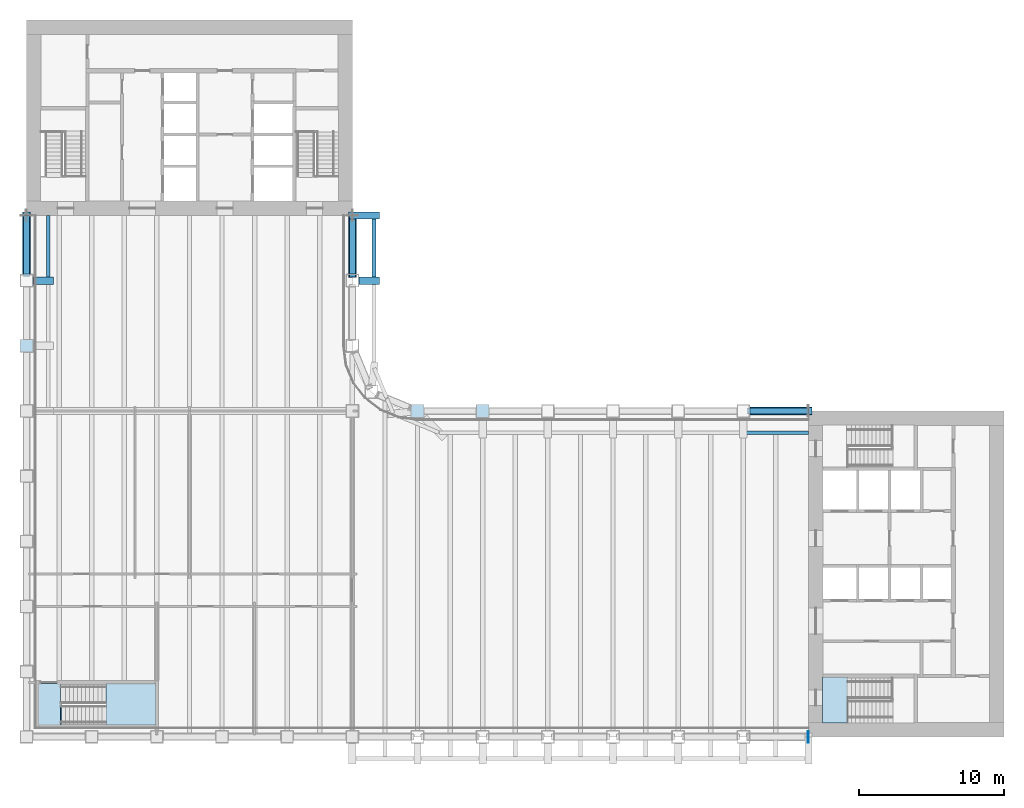
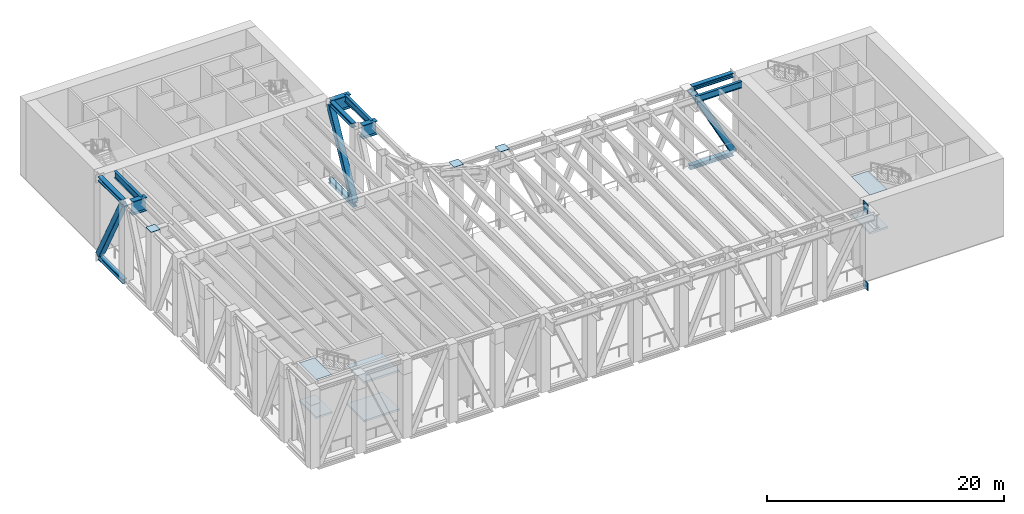
# One storey, part 3 of 16: 9 members, 7 plates, 6 beams, 6 slabs, 2 elements without a shape of their own.
"""IFC4 building model written with IfcOpenShell, lengths in metres."""

from ifc_helpers import new_model, si_unit, direction, frame, origin, origin_2d, place, context, subcontext, project, spatial, polyline, rectangle, hollow_rectangle, i_section, outline, extrude, material, layer, layer_set, material_profile, profile_set, type_object, element, aggregate, save


model = new_model("IFC4")

# Units and contexts
model_context = context("Model", 3, precision=1e-05, world=origin(), true_north=direction((0.0, 1.0)))
body_context = subcontext(model_context, "Body", "Model", "MODEL_VIEW")
ifc_project = project(units=[si_unit("LENGTHUNIT", "METRE"), si_unit("AREAUNIT", "SQUARE_METRE"), si_unit("VOLUMEUNIT", "CUBIC_METRE"), si_unit("PLANEANGLEUNIT", "RADIAN"), si_unit("MASSUNIT", "GRAM", prefix="KILO")], contexts=[model_context])

# Site, building, storey
site_placement = place(None, origin())
site = spatial("IfcSite", under=ifc_project, at=site_placement, CompositionType="ELEMENT")
building_placement = place(site_placement, origin())
building = spatial("IfcBuilding", under=site, at=building_placement, Name="Sennacour Bend Tower", CompositionType="ELEMENT")
storey_placement = place(building_placement, frame((0.0, 0.0, 187.0)))
storey = spatial("IfcBuildingStorey", under=building, at=storey_placement, Name="L43", CompositionType="ELEMENT", Elevation=187.0)

# Members
ifc_material_1 = material(Name="Steel ASTM A992 Grade 50", Category="steel")
ifc_material_profile_1 = material_profile(ifc_material_1, i_section(OverallWidth=0.4189453125, OverallDepth=0.455078125, WebThickness=0.042236328125, FlangeThickness=0.067626953125, FilletRadius=0.01513671875, at=origin_2d()), Name="Steel ASTM A992 Grade 50", Category="steel")
ifc_profile_set_1 = profile_set([ifc_material_profile_1], Name="Steel ASTM A992 Grade 50")
member_type_1 = type_object("IfcMemberType", Name="Belt truss chord W360X551", PredefinedType="CHORD", material=ifc_profile_set_1)
for number, where, z_axis, x_axis, name in (
    (1, (0.0, 31.75, -0.4775390625), (0.0, 1.0, 0.0), (-1.0, 0.0, 0.0), "Belt truss chord BC L43-003"),
    (2, (22.5, 36.0, -0.4775390625), (0.0, -1.0, 0.0), (1.0, 0.0, 0.0), "Belt truss chord BC L43-004"),
    (3, (49.75, 22.5, -0.4775390625), (1.0, 0.0, 0.0), (0.0, 1.0, 0.0), "Belt truss chord BC L43-013"),
):
    element("IfcMember", number, at=place(storey_placement, frame(where, z_axis=z_axis, x_axis=x_axis)), inside=storey, type_object=member_type_1, Name=name, PredefinedType="CHORD", context=body_context, shape_type="SweptSolid", body=[
        extrude(i_section(OverallWidth=0.4189453125, OverallDepth=0.455078125, WebThickness=0.042236328125, FlangeThickness=0.067626953125, FilletRadius=0.01513671875, at=origin_2d()), origin(), (0.0, 0.0, 1.0), 4.25),
    ])
member_1_placement = place(storey_placement, frame((0.0, 31.949951171875, 7.62255859375), z_axis=(0.0, 1.0, 0.0), x_axis=(-1.0, 0.0, 0.0)))
element("IfcMember", 4, at=member_1_placement, inside=storey, type_object=member_type_1, Name="Belt truss chord BC L43-003", PredefinedType="CHORD", context=body_context, shape_type="SweptSolid", body=[
    extrude(i_section(OverallWidth=0.4189453125, OverallDepth=0.455078125, WebThickness=0.042236328125, FlangeThickness=0.067626953125, FilletRadius=0.01513671875, at=origin_2d()), origin(), (0.0, 0.0, 1.0), 4.050048828125),
])
member_2_placement = place(storey_placement, frame((22.5, 35.75, 7.62255859375), z_axis=(0.0, -1.0, 0.0), x_axis=(1.0, 0.0, 0.0)))
element("IfcMember", 5, at=member_2_placement, inside=storey, type_object=member_type_1, Name="Belt truss chord BC L43-004", PredefinedType="CHORD", context=body_context, shape_type="SweptSolid", body=[
    extrude(i_section(OverallWidth=0.4189453125, OverallDepth=0.455078125, WebThickness=0.042236328125, FlangeThickness=0.067626953125, FilletRadius=0.01513671875, at=origin_2d()), origin(), (0.0, 0.0, 1.0), 3.800048828125),
])
member_3_placement = place(storey_placement, frame((49.949951171875, 22.5, 7.62255859375), z_axis=(1.0, 0.0, 0.0), x_axis=(0.0, 1.0, 0.0)))
element("IfcMember", 6, at=member_3_placement, inside=storey, type_object=member_type_1, Name="Belt truss chord BC L43-013", PredefinedType="CHORD", context=body_context, shape_type="SweptSolid", body=[
    extrude(i_section(OverallWidth=0.4189453125, OverallDepth=0.455078125, WebThickness=0.042236328125, FlangeThickness=0.067626953125, FilletRadius=0.01513671875, at=origin_2d()), origin(), (0.0, 0.0, 1.0), 4.050048828125),
])
ifc_material_2 = material(Name="Steel ASTM A500 Grade C", Category="steel")
ifc_material_profile_2 = material_profile(ifc_material_2, hollow_rectangle(XDim=0.558837890625, YDim=0.558837890625, WallThickness=0.01904296875, InnerFilletRadius=0.01904296875, OuterFilletRadius=0.0380859375, at=origin_2d()), Name="Steel ASTM A500 Grade C", Category="steel")
ifc_profile_set_2 = profile_set([ifc_material_profile_2], Name="Steel ASTM A500 Grade C")
member_type_2 = type_object("IfcMemberType", Name="Outrigger truss diagonal 559", PredefinedType="BRACE", material=ifc_profile_set_2)
for number, where, z_axis, x_axis, name in (
    (7, (49.949951171875, 22.5, 7.39501953125), (0.468130160087, 0.0, -0.883659523356), (0.0, 1.0, 0.0), "Outrigger truss diagonal OD L43-001"),
    (8, (0.0, 31.949951171875, 7.39501953125), (0.0, 0.468130160087, -0.883659523356), (-1.0, 0.0, 0.0), "Outrigger truss diagonal OD L43-003"),
    (9, (22.5, 31.949951171875, -0.25), (0.0, 0.468130160087, 0.883659523356), (-1.0, 0.0, 0.0), "Outrigger truss diagonal OD L43-004"),
):
    element("IfcMember", number, at=place(storey_placement, frame(where, z_axis=z_axis, x_axis=x_axis)), inside=storey, type_object=member_type_2, Name=name, PredefinedType="BRACE", context=body_context, shape_type="SweptSolid", body=[
        extrude(hollow_rectangle(XDim=0.558837890625, YDim=0.558837890625, WallThickness=0.01904296875, InnerFilletRadius=0.01904296875, OuterFilletRadius=0.0380859375, at=origin_2d()), origin(), (0.0, 0.0, 1.0), 8.651611328125),
    ])

# Beams
ifc_material_profile_3 = material_profile(ifc_material_1, i_section(OverallWidth=0.257080078125, OverallDepth=0.693115234375, WebThickness=0.014404296875, FlangeThickness=0.023681640625, FilletRadius=0.015380859375, at=origin_2d()), Name="Steel ASTM A992 Grade 50", Category="steel")
ifc_profile_set_3 = profile_set([ifc_material_profile_3], Name="Steel ASTM A992 Grade 50")
beam_type_1 = type_object("IfcBeamType", Name="Spandrel beam W690X170", PredefinedType="SPANDREL", material=ifc_profile_set_3)
beam_1_placement = place(storey_placement, frame((1.5, 31.514892578125, 7.50341796875), z_axis=(0.0, 1.0, 0.0), x_axis=(-1.0, 0.0, 0.0)))
element("IfcBeam", 10, at=beam_1_placement, inside=storey, type_object=beam_type_1, Name="Spandrel beam SP5 L44-003", PredefinedType="SPANDREL", context=body_context, shape_type="SweptSolid", body=[
    extrude(i_section(OverallWidth=0.257080078125, OverallDepth=0.693115234375, WebThickness=0.014404296875, FlangeThickness=0.023681640625, FilletRadius=0.015380859375, at=origin_2d()), origin(), (0.0, 0.0, 1.0), 4.485107421875),
])
beam_2_placement = place(storey_placement, frame((24.0, 35.985107421875, 7.50341796875), z_axis=(0.0, -1.0, 0.0), x_axis=(1.0, 0.0, 0.0)))
element("IfcBeam", 11, at=beam_2_placement, inside=storey, type_object=beam_type_1, Name="Spandrel beam SP5 L44-004", PredefinedType="SPANDREL", context=body_context, shape_type="SweptSolid", body=[
    extrude(i_section(OverallWidth=0.257080078125, OverallDepth=0.693115234375, WebThickness=0.014404296875, FlangeThickness=0.023681640625, FilletRadius=0.015380859375, at=origin_2d()), origin(), (0.0, 0.0, 1.0), 4.47021484375),
])
beam_3_placement = place(storey_placement, frame((49.514892578125, 21.0, 7.50341796875), z_axis=(1.0, 0.0, 0.0), x_axis=(0.0, 1.0, 0.0)))
element("IfcBeam", 12, at=beam_3_placement, inside=storey, type_object=beam_type_1, Name="Spandrel beam SP5 L44-014", PredefinedType="SPANDREL", context=body_context, shape_type="SweptSolid", body=[
    extrude(i_section(OverallWidth=0.257080078125, OverallDepth=0.693115234375, WebThickness=0.014404296875, FlangeThickness=0.023681640625, FilletRadius=0.015380859375, at=origin_2d()), origin(), (0.0, 0.0, 1.0), 4.485107421875),
])
ifc_material_3 = material(Name="Steel ASTM A572 Grade 50", Category="steel")
ifc_material_profile_4 = material_profile(ifc_material_3, i_section(OverallWidth=0.5, OverallDepth=1.39990234375, WebThickness=0.030029296875, FlangeThickness=0.054931640625, at=origin_2d()), Name="Steel ASTM A572 Grade 50", Category="steel")
ifc_profile_set_4 = profile_set([ifc_material_profile_4], Name="Steel ASTM A572 Grade 50")
beam_type_2 = type_object("IfcBeamType", Name="Transfer stub 1400", PredefinedType="USERDEFINED", material=ifc_profile_set_4)
for number, where, z_axis, x_axis, name in (
    (13, (0.449951171875, 31.5, 7.14990234375), (1.0, 0.0, 0.0), (0.0, 1.0, 0.0), "Transfer beam TS L44-003"),
    (14, (22.949951171875, 31.5, 7.14990234375), (1.0, 0.0, 0.0), (0.0, 1.0, 0.0), "Transfer beam TS L44-006"),
):
    element("IfcBeam", number, at=place(storey_placement, frame(where, z_axis=z_axis, x_axis=x_axis)), inside=storey, type_object=beam_type_2, Name=name, ObjectType="TRANSFER BEAM", PredefinedType="USERDEFINED", context=body_context, shape_type="SweptSolid", body=[
        extrude(i_section(OverallWidth=0.5, OverallDepth=1.39990234375, WebThickness=0.030029296875, FlangeThickness=0.054931640625, at=origin_2d()), origin(), (0.0, 0.0, 1.0), 1.425048828125),
    ])
beam_4_placement = place(storey_placement, frame((22.5, 36.0, 7.14990234375), z_axis=(1.0, 0.0, 0.0), x_axis=(0.0, 1.0, 0.0)))
element("IfcBeam", 15, at=beam_4_placement, inside=storey, type_object=beam_type_2, Name="Transfer beam TS L44-007", ObjectType="TRANSFER BEAM", PredefinedType="USERDEFINED", context=body_context, shape_type="SweptSolid", body=[
    extrude(i_section(OverallWidth=0.5, OverallDepth=1.39990234375, WebThickness=0.030029296875, FlangeThickness=0.054931640625, at=origin_2d()), origin(), (0.0, 0.0, 1.0), 1.875),
])

# Plates
ifc_layer_1 = layer(ifc_material_3, 0.0400390625, Name="Steel ASTM A572 Grade 50", Category="steel")
ifc_layer_set_1 = layer_set([ifc_layer_1], Name="Steel ASTM A572 Grade 50")
plate_type_1 = type_object("IfcPlateType", Name="Cast-in plate 40", PredefinedType="USERDEFINED", material=ifc_layer_set_1)
for number, where, z_axis, x_axis, name in (
    (16, (54.0, 0.0, -0.87744140625), (0.0, 0.0, 1.0), (1.0, 0.0, 0.0), "Cast-in plate CP 40"),
    (17, (53.97998046875, 0.0, -0.87744140625), (0.0, 0.0, 1.0), (1.0, 0.0, 0.0), "Cast-in plate CP BC 40"),
    (18, (54.0, 0.0, 7.22265625), (0.0, 0.0, 1.0), (1.0, 0.0, 0.0), "Cast-in plate CP 40"),
    (19, (53.97998046875, 0.0, 6.9951171875), (0.0, 0.0, 1.0), (1.0, 0.0, 0.0), "Cast-in plate CP OTD 40"),
):
    element("IfcPlate", number, at=place(storey_placement, frame(where, z_axis=z_axis, x_axis=x_axis)), inside=storey, type_object=plate_type_1, Name=name, ObjectType="CAST-IN PLATE", PredefinedType="USERDEFINED", context=body_context, shape_type="SweptSolid", body=[
        extrude(rectangle(XDim=0.0400390625, YDim=0.800048828125, at=origin_2d()), origin(), (0.0, 0.0, 1.0), 0.800048828125),
    ])
ifc_layer_2 = layer(ifc_material_3, 0.02490234375, Name="Steel ASTM A572 Grade 50", Category="steel")
ifc_layer_set_2 = layer_set([ifc_layer_2], Name="Steel ASTM A572 Grade 50")
plate_type_2 = type_object("IfcPlateType", Name="Column cap plate 900", PredefinedType="USERDEFINED", material=ifc_layer_set_2)
for number, where, z_axis, x_axis, name in (
    (20, (0.0, 27.0, 7.85009765625), (0.0, 0.0, 1.0), (1.0, 0.0, 0.0), "Column cap plate L43-007"),
    (21, (27.0, 22.5, 7.85009765625), (0.0, 0.0, 1.0), (1.0, 0.0, 0.0), "Column cap plate L43-019"),
    (22, (31.5, 22.5, 7.85009765625), (0.0, 0.0, 1.0), (1.0, 0.0, 0.0), "Column cap plate L43-021"),
):
    element("IfcPlate", number, at=place(storey_placement, frame(where, z_axis=z_axis, x_axis=x_axis)), inside=storey, type_object=plate_type_2, Name=name, ObjectType="END PLATE", PredefinedType="USERDEFINED", context=body_context, shape_type="SweptSolid", body=[
        extrude(rectangle(XDim=0.89990234375, YDim=0.89990234375, at=origin_2d()), origin(), (0.0, 0.0, 1.0), 0.02490234375),
    ])

# Slabs
ifc_material_4 = material(Name="Concrete C40/50", Category="concrete")
ifc_layer_3 = layer(ifc_material_4, 0.034912109375, Name="Concrete C40/50", Category="concrete")
ifc_layer_set_3 = layer_set([ifc_layer_3], Name="Concrete C40/50")
slab_type_1 = type_object("IfcSlabType", Name="Stair arrival nib 35", PredefinedType="FLOOR", material=ifc_layer_set_3)
slab_1_placement = place(storey_placement, frame((0.0, 0.0, 7.815185546875)))
element("IfcSlab", 23, at=slab_1_placement, inside=storey, type_object=slab_type_1, Name="L43 SA1 stair arrival nib", PredefinedType="FLOOR", context=body_context, shape_type="SweptSolid", body=[
    extrude(outline(polyline([(56.64208984375, 4.125), (54.949951171875, 4.125), (54.949951171875, 0.949951171875), (56.64208984375, 0.949951171875), (56.64208984375, 4.125)])), origin(), (0.0, 0.0, 1.0), 0.034912109375),
])
slab_2_placement = place(storey_placement, frame((0.0, 0.0, 7.815185546875)))
element("IfcSlab", 24, at=slab_2_placement, inside=storey, type_object=slab_type_1, Name="L43 SK1 stair arrival nib", PredefinedType="FLOOR", context=body_context, shape_type="SweptSolid", body=[
    extrude(outline(polyline([(2.342041015625, 3.675048828125), (0.800048828125, 3.675048828125), (0.800048828125, 0.800048828125), (2.342041015625, 0.800048828125), (2.342041015625, 3.675048828125)])), origin(), (0.0, 0.0, 1.0), 0.034912109375),
])

# Stair, slab
stair_type = type_object("IfcStairType", Name="ST-DOGLEG", PredefinedType="HALF_TURN_STAIR", material=ifc_material_4)
stair_1_placement = place(storey_placement, origin())
stair_1 = element("IfcStair", 25, at=stair_1_placement, inside=storey, type_object=stair_type, Name="L43 Exit stair A1", PredefinedType="HALF_TURN_STAIR")
ifc_layer_4 = layer(ifc_material_4, 0.199951171875, Name="Concrete C40/50", Category="concrete")
ifc_layer_set_4 = layer_set([ifc_layer_4], Name="Concrete C40/50")
slab_type_2 = type_object("IfcSlabType", Name="Stair landing 200", PredefinedType="LANDING", material=ifc_layer_set_4)
slab_3_placement = place(storey_placement, frame((0.0, 0.0, 3.800048828125)))
slab_3 = element("IfcSlab", 26, at=slab_3_placement, type_object=slab_type_2, Name="SA1 landing 2", PredefinedType="LANDING", context=body_context, shape_type="SweptSolid", body=[
    extrude(outline(polyline([(54.949951171875, 0.949951171875), (56.699951171875, 0.949951171875), (56.699951171875, 4.125), (54.949951171875, 4.125), (54.949951171875, 0.949951171875)])), origin(), (0.0, 0.0, 1.0), 0.199951171875),
])
aggregate(stair_1, [slab_3])

# Stair, slabs
stair_2_placement = place(storey_placement, origin())
stair_2 = element("IfcStair", 27, at=stair_2_placement, inside=storey, type_object=stair_type, Name="L43 Exit stair K1", PredefinedType="HALF_TURN_STAIR")
slab_4_placement = place(storey_placement, frame((0.0, 0.0, 1.800048828125)))
slab_4 = element("IfcSlab", 28, at=slab_4_placement, type_object=slab_type_2, Name="SK1 landing 1", PredefinedType="LANDING", context=body_context, shape_type="SweptSolid", body=[
    extrude(outline(polyline([(5.47998046875, 0.800048828125), (8.925048828125, 0.800048828125), (8.925048828125, 3.675048828125), (5.47998046875, 3.675048828125), (5.47998046875, 0.800048828125)])), origin(), (0.0, 0.0, 1.0), 0.199951171875),
])
slab_5_placement = place(storey_placement, frame((0.0, 0.0, 3.800048828125)))
slab_5 = element("IfcSlab", 29, at=slab_5_placement, type_object=slab_type_2, Name="SK1 landing 2", PredefinedType="LANDING", context=body_context, shape_type="SweptSolid", body=[
    extrude(outline(polyline([(0.800048828125, 0.800048828125), (2.39990234375, 0.800048828125), (2.39990234375, 3.675048828125), (0.800048828125, 3.675048828125), (0.800048828125, 0.800048828125)])), origin(), (0.0, 0.0, 1.0), 0.199951171875),
])
slab_6_placement = place(storey_placement, frame((0.0, 0.0, 5.800048828125)))
slab_6 = element("IfcSlab", 30, at=slab_6_placement, type_object=slab_type_2, Name="SK1 landing 3", PredefinedType="LANDING", context=body_context, shape_type="SweptSolid", body=[
    extrude(outline(polyline([(5.47998046875, 0.800048828125), (8.925048828125, 0.800048828125), (8.925048828125, 3.675048828125), (5.47998046875, 3.675048828125), (5.47998046875, 0.800048828125)])), origin(), (0.0, 0.0, 1.0), 0.199951171875),
])
aggregate(stair_2, [slab_4, slab_5, slab_6])

save(model, "model.ifc")
